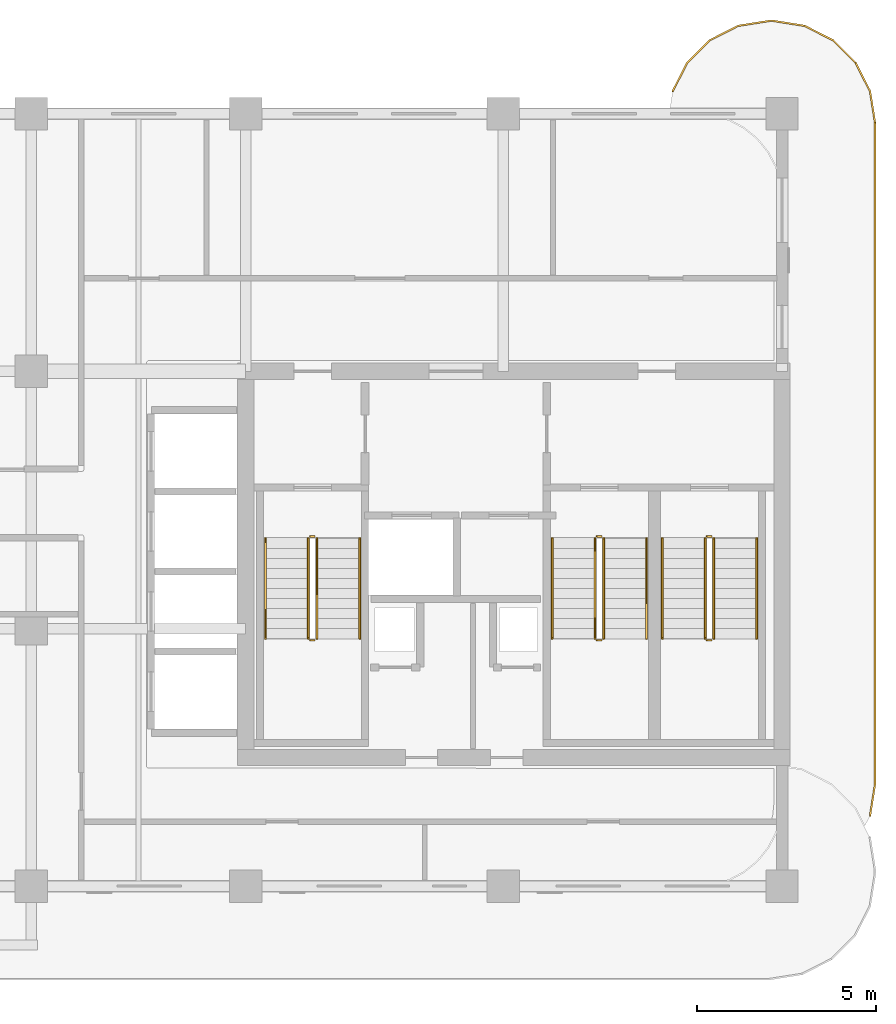
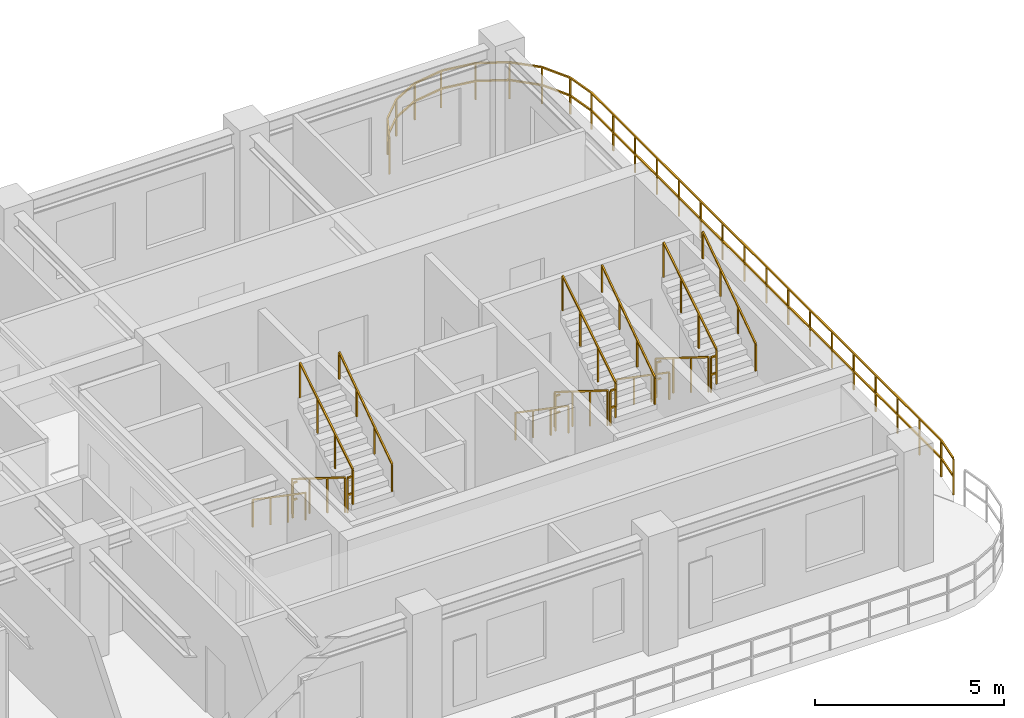
# One storey, part 8 of 8: 19 railings.
"""IFC4 building model written with IfcOpenShell, lengths in metres."""

from ifc_helpers import new_model, si_unit, derived_unit, direction, frame, origin, origin_2d, place, context, subcontext, project, spatial, rectangle, extrude, material, type_object, element, save


model = new_model("IFC4")

# Units and contexts
model_context = context("Model", 3, precision=1e-05, world=origin(), true_north=direction((0.0, 1.0)))
body_context = subcontext(model_context, "Body", "Model", "MODEL_VIEW")
ifc_project = project(units=[si_unit("LENGTHUNIT", "METRE"), si_unit("AREAUNIT", "SQUARE_METRE"), si_unit("VOLUMEUNIT", "CUBIC_METRE"), si_unit("PLANEANGLEUNIT", "RADIAN"), si_unit("MASSUNIT", "GRAM", prefix="KILO"), si_unit("THERMODYNAMICTEMPERATUREUNIT", "KELVIN"), si_unit("POWERUNIT", "WATT"), derived_unit("THERMALTRANSMITTANCEUNIT", [(si_unit("POWERUNIT", "WATT"), 1), (si_unit("AREAUNIT", "SQUARE_METRE"), -1), (si_unit("THERMODYNAMICTEMPERATUREUNIT", "KELVIN"), -1)])], contexts=[model_context])

# Site, building, storey
site_placement = place(None, origin())
site = spatial("IfcSite", under=ifc_project, at=site_placement, CompositionType="ELEMENT")
building_placement = place(site_placement, origin())
building = spatial("IfcBuilding", under=site, at=building_placement, Name="Zahravan Archway Hotel and Residences", CompositionType="ELEMENT")
storey_placement = place(building_placement, frame((0.0, 0.0, 225.0)))
storey = spatial("IfcBuildingStorey", under=building, at=storey_placement, Name="L56", CompositionType="ELEMENT", Elevation=225.0)

# Railings
ifc_material_1 = material(Name="Bronze & Laminated Glass Balustrade", Category="glass")
railing_type_1 = type_object("IfcRailingType", Name="RL-BAL-1200", PredefinedType="BALUSTRADE", material=ifc_material_1)
railing_1_placement = place(storey_placement, frame((46.739501953125, 22.230712890625, 0.0)))
element("IfcRailing", 1, at=railing_1_placement, inside=storey, type_object=railing_type_1, Name="L56 Balustrade RL-SLB-BAL-L56-EA-1", PredefinedType="BALUSTRADE", context=body_context, shape_type="SweptSolid", body=[
    extrude(rectangle(XDim=0.048095703125, YDim=0.048095703125, at=origin_2d()), frame((0.0, 0.0, 1.17578125), z_axis=(0.453991409995, 0.891006060389, 0.0), x_axis=(-0.891006060389, 0.453991409995, 0.0)), (0.0, 0.0, 1.0), 0.8916015625),
    extrude(rectangle(XDim=0.048095703125, YDim=0.048095703125, at=origin_2d()), frame((0.0, 0.0, 0.60009765625), z_axis=(0.453991409995, 0.891006060389, 0.0), x_axis=(-0.891006060389, 0.453991409995, 0.0)), (0.0, 0.0, 1.0), 0.8916015625),
    extrude(rectangle(XDim=0.048095703125, YDim=0.048095703125, at=origin_2d()), frame((0.40478515625, 0.79443359375, 1.17578125), z_axis=(0.707106781187, 0.707106781187, 0.0), x_axis=(-0.707106781187, 0.707106781187, 0.0)), (0.0, 0.0, 1.0), 0.891845703125),
    extrude(rectangle(XDim=0.048095703125, YDim=0.048095703125, at=origin_2d()), frame((0.40478515625, 0.79443359375, 0.60009765625), z_axis=(0.707106781187, 0.707106781187, 0.0), x_axis=(-0.707106781187, 0.707106781187, 0.0)), (0.0, 0.0, 1.0), 0.891845703125),
    extrude(rectangle(XDim=0.048095703125, YDim=0.048095703125, at=origin_2d()), frame((1.035400390625, 1.425048828125, 1.17578125), z_axis=(0.891006060389, 0.453991409995, 0.0), x_axis=(-0.453991409995, 0.891006060389, 0.0)), (0.0, 0.0, 1.0), 0.8916015625),
    extrude(rectangle(XDim=0.048095703125, YDim=0.048095703125, at=origin_2d()), frame((1.035400390625, 1.425048828125, 0.60009765625), z_axis=(0.891006060389, 0.453991409995, 0.0), x_axis=(-0.453991409995, 0.891006060389, 0.0)), (0.0, 0.0, 1.0), 0.8916015625),
    extrude(rectangle(XDim=0.048095703125, YDim=0.048095703125, at=origin_2d()), frame((1.829833984375, 1.829833984375, 1.17578125), z_axis=(0.987700720307, 0.156356282588, 0.0), x_axis=(-0.156356282588, 0.987700720307, 0.0)), (0.0, 0.0, 1.0), 0.8916015625),
    extrude(rectangle(XDim=0.048095703125, YDim=0.048095703125, at=origin_2d()), frame((1.829833984375, 1.829833984375, 0.60009765625), z_axis=(0.987700720307, 0.156356282588, 0.0), x_axis=(-0.156356282588, 0.987700720307, 0.0)), (0.0, 0.0, 1.0), 0.8916015625),
    extrude(rectangle(XDim=0.048095703125, YDim=0.048095703125, at=origin_2d()), frame((2.71044921875, 1.96923828125, 1.17578125), z_axis=(1.0, 0.0, 0.0), x_axis=(0.0, 1.0, 0.0)), (0.0, 0.0, 1.0), 0.10009765625),
    extrude(rectangle(XDim=0.048095703125, YDim=0.048095703125, at=origin_2d()), frame((2.71044921875, 1.96923828125, 0.60009765625), z_axis=(1.0, 0.0, 0.0), x_axis=(0.0, 1.0, 0.0)), (0.0, 0.0, 1.0), 0.10009765625),
    extrude(rectangle(XDim=0.048095703125, YDim=0.048095703125, at=origin_2d()), frame((2.810546875, 1.96923828125, 1.17578125), z_axis=(0.987700720307, -0.156356282588, 0.0), x_axis=(0.156356282588, 0.987700720307, 0.0)), (0.0, 0.0, 1.0), 0.8916015625),
    extrude(rectangle(XDim=0.048095703125, YDim=0.048095703125, at=origin_2d()), frame((2.810546875, 1.96923828125, 0.60009765625), z_axis=(0.987700720307, -0.156356282588, 0.0), x_axis=(0.156356282588, 0.987700720307, 0.0)), (0.0, 0.0, 1.0), 0.8916015625),
    extrude(rectangle(XDim=0.048095703125, YDim=0.048095703125, at=origin_2d()), frame((3.691162109375, 1.829833984375, 1.17578125), z_axis=(0.891006060389, -0.453991409995, 0.0), x_axis=(0.453991409995, 0.891006060389, 0.0)), (0.0, 0.0, 1.0), 0.8916015625),
    extrude(rectangle(XDim=0.048095703125, YDim=0.048095703125, at=origin_2d()), frame((3.691162109375, 1.829833984375, 0.60009765625), z_axis=(0.891006060389, -0.453991409995, 0.0), x_axis=(0.453991409995, 0.891006060389, 0.0)), (0.0, 0.0, 1.0), 0.8916015625),
    extrude(rectangle(XDim=0.048095703125, YDim=0.048095703125, at=origin_2d()), frame((4.485595703125, 1.425048828125, 1.17578125), z_axis=(0.707106781187, -0.707106781187, 0.0), x_axis=(0.707106781187, 0.707106781187, 0.0)), (0.0, 0.0, 1.0), 0.891845703125),
    extrude(rectangle(XDim=0.048095703125, YDim=0.048095703125, at=origin_2d()), frame((4.485595703125, 1.425048828125, 0.60009765625), z_axis=(0.707106781187, -0.707106781187, 0.0), x_axis=(0.707106781187, 0.707106781187, 0.0)), (0.0, 0.0, 1.0), 0.891845703125),
    extrude(rectangle(XDim=0.048095703125, YDim=0.048095703125, at=origin_2d()), frame((5.1162109375, 0.79443359375, 1.17578125), z_axis=(0.453991409995, -0.891006060389, 0.0), x_axis=(0.891006060389, 0.453991409995, 0.0)), (0.0, 0.0, 1.0), 0.8916015625),
    extrude(rectangle(XDim=0.048095703125, YDim=0.048095703125, at=origin_2d()), frame((5.1162109375, 0.79443359375, 0.60009765625), z_axis=(0.453991409995, -0.891006060389, 0.0), x_axis=(0.891006060389, 0.453991409995, 0.0)), (0.0, 0.0, 1.0), 0.8916015625),
    extrude(rectangle(XDim=0.048095703125, YDim=0.048095703125, at=origin_2d()), frame((5.52099609375, 0.0, 1.17578125), z_axis=(0.156356282588, -0.987700720307, 0.0), x_axis=(0.987700720307, 0.156356282588, 0.0)), (0.0, 0.0, 1.0), 0.8916015625),
    extrude(rectangle(XDim=0.048095703125, YDim=0.048095703125, at=origin_2d()), frame((5.52099609375, 0.0, 0.60009765625), z_axis=(0.156356282588, -0.987700720307, 0.0), x_axis=(0.987700720307, 0.156356282588, 0.0)), (0.0, 0.0, 1.0), 0.8916015625),
    extrude(rectangle(XDim=0.048095703125, YDim=0.048095703125, at=origin_2d()), frame((5.660400390625, -0.880615234375, 1.17578125), z_axis=(0.0, -1.0, 0.0), x_axis=(1.0, 0.0, 0.0)), (0.0, 0.0, 1.0), 18.5),
    extrude(rectangle(XDim=0.048095703125, YDim=0.048095703125, at=origin_2d()), frame((5.660400390625, -0.880615234375, 0.60009765625), z_axis=(0.0, -1.0, 0.0), x_axis=(1.0, 0.0, 0.0)), (0.0, 0.0, 1.0), 18.5),
    extrude(rectangle(XDim=0.048095703125, YDim=0.048095703125, at=origin_2d()), frame((5.660400390625, -19.380615234375, 1.17578125), z_axis=(-0.156314005608, -0.987707411965, 0.0), x_axis=(0.987707411965, -0.156314005608, 0.0)), (0.0, 0.0, 1.0), 0.891845703125),
    extrude(rectangle(XDim=0.048095703125, YDim=0.048095703125, at=origin_2d()), frame((5.660400390625, -19.380615234375, 0.60009765625), z_axis=(-0.156314005608, -0.987707411965, 0.0), x_axis=(0.987707411965, -0.156314005608, 0.0)), (0.0, 0.0, 1.0), 0.891845703125),
    extrude(rectangle(XDim=0.0419921875, YDim=0.0419921875, at=origin_2d()), origin(), (0.0, 0.0, 1.0), 1.15185546875),
    extrude(rectangle(XDim=0.0419921875, YDim=0.0419921875, at=origin_2d()), frame((0.40478515625, 0.79443359375, 0.0)), (0.0, 0.0, 1.0), 1.15185546875),
    extrude(rectangle(XDim=0.0419921875, YDim=0.0419921875, at=origin_2d()), frame((1.035400390625, 1.425048828125, 0.0)), (0.0, 0.0, 1.0), 1.15185546875),
    extrude(rectangle(XDim=0.0419921875, YDim=0.0419921875, at=origin_2d()), frame((1.829833984375, 1.829833984375, 0.0)), (0.0, 0.0, 1.0), 1.15185546875),
    extrude(rectangle(XDim=0.0419921875, YDim=0.0419921875, at=origin_2d()), frame((2.71044921875, 1.96923828125, 0.0)), (0.0, 0.0, 1.0), 1.15185546875),
    extrude(rectangle(XDim=0.0419921875, YDim=0.0419921875, at=origin_2d()), frame((3.691162109375, 1.829833984375, 0.0)), (0.0, 0.0, 1.0), 1.15185546875),
    extrude(rectangle(XDim=0.0419921875, YDim=0.0419921875, at=origin_2d()), frame((4.485595703125, 1.425048828125, 0.0)), (0.0, 0.0, 1.0), 1.15185546875),
    extrude(rectangle(XDim=0.0419921875, YDim=0.0419921875, at=origin_2d()), frame((5.1162109375, 0.79443359375, 0.0)), (0.0, 0.0, 1.0), 1.15185546875),
    extrude(rectangle(XDim=0.0419921875, YDim=0.0419921875, at=origin_2d()), frame((5.52099609375, 0.0, 0.0)), (0.0, 0.0, 1.0), 1.15185546875),
    extrude(rectangle(XDim=0.0419921875, YDim=0.0419921875, at=origin_2d()), frame((5.660400390625, -0.880615234375, 0.0)), (0.0, 0.0, 1.0), 1.15185546875),
    extrude(rectangle(XDim=0.0419921875, YDim=0.0419921875, at=origin_2d()), frame((5.660400390625, -2.036865234375, 0.0)), (0.0, 0.0, 1.0), 1.15185546875),
    extrude(rectangle(XDim=0.0419921875, YDim=0.0419921875, at=origin_2d()), frame((5.660400390625, -3.193115234375, 0.0)), (0.0, 0.0, 1.0), 1.15185546875),
    extrude(rectangle(XDim=0.0419921875, YDim=0.0419921875, at=origin_2d()), frame((5.660400390625, -4.349365234375, 0.0)), (0.0, 0.0, 1.0), 1.15185546875),
    extrude(rectangle(XDim=0.0419921875, YDim=0.0419921875, at=origin_2d()), frame((5.660400390625, -5.505615234375, 0.0)), (0.0, 0.0, 1.0), 1.15185546875),
    extrude(rectangle(XDim=0.0419921875, YDim=0.0419921875, at=origin_2d()), frame((5.660400390625, -6.661865234375, 0.0)), (0.0, 0.0, 1.0), 1.15185546875),
    extrude(rectangle(XDim=0.0419921875, YDim=0.0419921875, at=origin_2d()), frame((5.660400390625, -7.818115234375, 0.0)), (0.0, 0.0, 1.0), 1.15185546875),
    extrude(rectangle(XDim=0.0419921875, YDim=0.0419921875, at=origin_2d()), frame((5.660400390625, -8.974365234375, 0.0)), (0.0, 0.0, 1.0), 1.15185546875),
    extrude(rectangle(XDim=0.0419921875, YDim=0.0419921875, at=origin_2d()), frame((5.660400390625, -10.130615234375, 0.0)), (0.0, 0.0, 1.0), 1.15185546875),
    extrude(rectangle(XDim=0.0419921875, YDim=0.0419921875, at=origin_2d()), frame((5.660400390625, -11.286865234375, 0.0)), (0.0, 0.0, 1.0), 1.15185546875),
    extrude(rectangle(XDim=0.0419921875, YDim=0.0419921875, at=origin_2d()), frame((5.660400390625, -12.443115234375, 0.0)), (0.0, 0.0, 1.0), 1.15185546875),
    extrude(rectangle(XDim=0.0419921875, YDim=0.0419921875, at=origin_2d()), frame((5.660400390625, -13.599365234375, 0.0)), (0.0, 0.0, 1.0), 1.15185546875),
    extrude(rectangle(XDim=0.0419921875, YDim=0.0419921875, at=origin_2d()), frame((5.660400390625, -14.755615234375, 0.0)), (0.0, 0.0, 1.0), 1.15185546875),
    extrude(rectangle(XDim=0.0419921875, YDim=0.0419921875, at=origin_2d()), frame((5.660400390625, -15.911865234375, 0.0)), (0.0, 0.0, 1.0), 1.15185546875),
    extrude(rectangle(XDim=0.0419921875, YDim=0.0419921875, at=origin_2d()), frame((5.660400390625, -17.068115234375, 0.0)), (0.0, 0.0, 1.0), 1.15185546875),
    extrude(rectangle(XDim=0.0419921875, YDim=0.0419921875, at=origin_2d()), frame((5.660400390625, -18.224365234375, 0.0)), (0.0, 0.0, 1.0), 1.15185546875),
    extrude(rectangle(XDim=0.0419921875, YDim=0.0419921875, at=origin_2d()), frame((5.660400390625, -19.380615234375, 0.0)), (0.0, 0.0, 1.0), 1.15185546875),
    extrude(rectangle(XDim=0.0419921875, YDim=0.0419921875, at=origin_2d()), frame((5.52099609375, -20.261474609375, 0.0)), (0.0, 0.0, 1.0), 1.15185546875),
])
ifc_material_2 = material(Name="Painted Tubular Steel", Category="steel")
railing_type_2 = type_object("IfcRailingType", Name="RL-STG-1150", PredefinedType="GUARDRAIL", material=ifc_material_2)
railing_2_placement = place(storey_placement, frame((36.550048828125, 9.72998046875, 0.175048828125)))
element("IfcRailing", 2, at=railing_2_placement, inside=storey, type_object=railing_type_2, Name="L56 ST-A1 stair guard 1", PredefinedType="GUARDRAIL", context=body_context, shape_type="SweptSolid", body=[
    extrude(rectangle(XDim=0.048095703125, YDim=0.048095703125, at=origin_2d()), frame((0.0, 0.0, 1.1259765625), z_axis=(0.0, -0.848002457836, 0.529992293815), x_axis=(1.0, 0.0, 0.0)), (0.0, 0.0, 1.0), 3.302001953125),
    extrude(rectangle(XDim=0.0419921875, YDim=0.0419921875, at=origin_2d()), origin(), (0.0, 0.0, 1.0), 1.101806640625),
    extrude(rectangle(XDim=0.0419921875, YDim=0.0419921875, at=origin_2d()), frame((0.0, -0.933349609375, 0.583251953125)), (0.0, 0.0, 1.0), 1.101806640625),
    extrude(rectangle(XDim=0.0419921875, YDim=0.0419921875, at=origin_2d()), frame((0.0, -1.86669921875, 1.166748046875)), (0.0, 0.0, 1.0), 1.101806640625),
    extrude(rectangle(XDim=0.0419921875, YDim=0.0419921875, at=origin_2d()), frame((0.0, -2.800048828125, 1.75)), (0.0, 0.0, 1.0), 1.101806640625),
])
railing_3_placement = place(storey_placement, frame((36.60009765625, 6.8798828125, 1.925048828125)))
element("IfcRailing", 3, at=railing_3_placement, inside=storey, type_object=railing_type_2, Name="L56 ST-A1 stair guard 2", PredefinedType="GUARDRAIL", context=body_context, shape_type="SweptSolid", body=[
    extrude(rectangle(XDim=0.048095703125, YDim=0.048095703125, at=origin_2d()), frame((0.0, 0.0, 1.1259765625), z_axis=(1.0, 0.0, 0.0), x_axis=(0.0, 1.0, 0.0)), (0.0, 0.0, 1.0), 0.139892578125),
    extrude(rectangle(XDim=0.048095703125, YDim=0.048095703125, at=origin_2d()), frame((0.0, 0.0, 0.574951171875), z_axis=(1.0, 0.0, 0.0), x_axis=(0.0, 1.0, 0.0)), (0.0, 0.0, 1.0), 0.139892578125),
    extrude(rectangle(XDim=0.0419921875, YDim=0.0419921875, at=origin_2d()), origin(), (0.0, 0.0, 1.0), 1.101806640625),
])
railing_4_placement = place(storey_placement, frame((36.7900390625, 6.929931640625, 2.10009765625)))
element("IfcRailing", 4, at=railing_4_placement, inside=storey, type_object=railing_type_2, Name="L56 ST-A1 stair guard 3", PredefinedType="GUARDRAIL", context=body_context, shape_type="SweptSolid", body=[
    extrude(rectangle(XDim=0.048095703125, YDim=0.048095703125, at=origin_2d()), frame((0.0, 0.0, 1.1259765625), z_axis=(0.0, 0.848002457836, 0.529992293815), x_axis=(-1.0, 0.0, 0.0)), (0.0, 0.0, 1.0), 3.302001953125),
    extrude(rectangle(XDim=0.0419921875, YDim=0.0419921875, at=origin_2d()), origin(), (0.0, 0.0, 1.0), 1.101806640625),
    extrude(rectangle(XDim=0.0419921875, YDim=0.0419921875, at=origin_2d()), frame((0.0, 0.933349609375, 0.583251953125)), (0.0, 0.0, 1.0), 1.101806640625),
    extrude(rectangle(XDim=0.0419921875, YDim=0.0419921875, at=origin_2d()), frame((0.0, 1.86669921875, 1.166748046875)), (0.0, 0.0, 1.0), 1.101806640625),
    extrude(rectangle(XDim=0.0419921875, YDim=0.0419921875, at=origin_2d()), frame((0.0, 2.800048828125, 1.75)), (0.0, 0.0, 1.0), 1.101806640625),
])
railing_5_placement = place(storey_placement, frame((36.60009765625, 9.780029296875, 0.0)))
element("IfcRailing", 5, at=railing_5_placement, inside=storey, type_object=railing_type_2, Name="L56 ST-A1 stair guard 4", PredefinedType="GUARDRAIL", context=body_context, shape_type="SweptSolid", body=[
    extrude(rectangle(XDim=0.048095703125, YDim=0.048095703125, at=origin_2d()), frame((0.0, 0.0, 1.1259765625), z_axis=(1.0, 0.0, 0.0), x_axis=(0.0, 1.0, 0.0)), (0.0, 0.0, 1.0), 0.139892578125),
    extrude(rectangle(XDim=0.048095703125, YDim=0.048095703125, at=origin_2d()), frame((0.0, 0.0, 0.574951171875), z_axis=(1.0, 0.0, 0.0), x_axis=(0.0, 1.0, 0.0)), (0.0, 0.0, 1.0), 0.139892578125),
    extrude(rectangle(XDim=0.0419921875, YDim=0.0419921875, at=origin_2d()), origin(), (0.0, 0.0, 1.0), 1.101806640625),
])
railing_6_placement = place(storey_placement, frame((44.570068359375, 9.72998046875, 0.175048828125)))
element("IfcRailing", 6, at=railing_6_placement, inside=storey, type_object=railing_type_2, Name="L56 ST-A2 stair guard 1", PredefinedType="GUARDRAIL", context=body_context, shape_type="SweptSolid", body=[
    extrude(rectangle(XDim=0.048095703125, YDim=0.048095703125, at=origin_2d()), frame((0.0, 0.0, 1.1259765625), z_axis=(0.0, -0.848002457836, 0.529992293815), x_axis=(1.0, 0.0, 0.0)), (0.0, 0.0, 1.0), 3.302001953125),
    extrude(rectangle(XDim=0.0419921875, YDim=0.0419921875, at=origin_2d()), origin(), (0.0, 0.0, 1.0), 1.101806640625),
    extrude(rectangle(XDim=0.0419921875, YDim=0.0419921875, at=origin_2d()), frame((0.0, -0.933349609375, 0.583251953125)), (0.0, 0.0, 1.0), 1.101806640625),
    extrude(rectangle(XDim=0.0419921875, YDim=0.0419921875, at=origin_2d()), frame((0.0, -1.86669921875, 1.166748046875)), (0.0, 0.0, 1.0), 1.101806640625),
    extrude(rectangle(XDim=0.0419921875, YDim=0.0419921875, at=origin_2d()), frame((0.0, -2.800048828125, 1.75)), (0.0, 0.0, 1.0), 1.101806640625),
])
railing_7_placement = place(storey_placement, frame((44.6201171875, 6.8798828125, 1.925048828125)))
element("IfcRailing", 7, at=railing_7_placement, inside=storey, type_object=railing_type_2, Name="L56 ST-A2 stair guard 2", PredefinedType="GUARDRAIL", context=body_context, shape_type="SweptSolid", body=[
    extrude(rectangle(XDim=0.048095703125, YDim=0.048095703125, at=origin_2d()), frame((0.0, 0.0, 1.1259765625), z_axis=(1.0, 0.0, 0.0), x_axis=(0.0, 1.0, 0.0)), (0.0, 0.0, 1.0), 0.139892578125),
    extrude(rectangle(XDim=0.048095703125, YDim=0.048095703125, at=origin_2d()), frame((0.0, 0.0, 0.574951171875), z_axis=(1.0, 0.0, 0.0), x_axis=(0.0, 1.0, 0.0)), (0.0, 0.0, 1.0), 0.139892578125),
    extrude(rectangle(XDim=0.0419921875, YDim=0.0419921875, at=origin_2d()), origin(), (0.0, 0.0, 1.0), 1.101806640625),
])
railing_8_placement = place(storey_placement, frame((44.81005859375, 6.929931640625, 2.10009765625)))
element("IfcRailing", 8, at=railing_8_placement, inside=storey, type_object=railing_type_2, Name="L56 ST-A2 stair guard 3", PredefinedType="GUARDRAIL", context=body_context, shape_type="SweptSolid", body=[
    extrude(rectangle(XDim=0.048095703125, YDim=0.048095703125, at=origin_2d()), frame((0.0, 0.0, 1.1259765625), z_axis=(0.0, 0.848002457836, 0.529992293815), x_axis=(-1.0, 0.0, 0.0)), (0.0, 0.0, 1.0), 3.302001953125),
    extrude(rectangle(XDim=0.0419921875, YDim=0.0419921875, at=origin_2d()), origin(), (0.0, 0.0, 1.0), 1.101806640625),
    extrude(rectangle(XDim=0.0419921875, YDim=0.0419921875, at=origin_2d()), frame((0.0, 0.933349609375, 0.583251953125)), (0.0, 0.0, 1.0), 1.101806640625),
    extrude(rectangle(XDim=0.0419921875, YDim=0.0419921875, at=origin_2d()), frame((0.0, 1.86669921875, 1.166748046875)), (0.0, 0.0, 1.0), 1.101806640625),
    extrude(rectangle(XDim=0.0419921875, YDim=0.0419921875, at=origin_2d()), frame((0.0, 2.800048828125, 1.75)), (0.0, 0.0, 1.0), 1.101806640625),
])
railing_9_placement = place(storey_placement, frame((44.6201171875, 9.780029296875, 0.0)))
element("IfcRailing", 9, at=railing_9_placement, inside=storey, type_object=railing_type_2, Name="L56 ST-A2 stair guard 4", PredefinedType="GUARDRAIL", context=body_context, shape_type="SweptSolid", body=[
    extrude(rectangle(XDim=0.048095703125, YDim=0.048095703125, at=origin_2d()), frame((0.0, 0.0, 1.1259765625), z_axis=(1.0, 0.0, 0.0), x_axis=(0.0, 1.0, 0.0)), (0.0, 0.0, 1.0), 0.139892578125),
    extrude(rectangle(XDim=0.048095703125, YDim=0.048095703125, at=origin_2d()), frame((0.0, 0.0, 0.574951171875), z_axis=(1.0, 0.0, 0.0), x_axis=(0.0, 1.0, 0.0)), (0.0, 0.0, 1.0), 0.139892578125),
    extrude(rectangle(XDim=0.0419921875, YDim=0.0419921875, at=origin_2d()), origin(), (0.0, 0.0, 1.0), 1.101806640625),
])
railing_10_placement = place(storey_placement, frame((47.64990234375, 9.72998046875, 0.175048828125)))
element("IfcRailing", 10, at=railing_10_placement, inside=storey, type_object=railing_type_2, Name="L56 ST-A3 stair guard 1", PredefinedType="GUARDRAIL", context=body_context, shape_type="SweptSolid", body=[
    extrude(rectangle(XDim=0.048095703125, YDim=0.048095703125, at=origin_2d()), frame((0.0, 0.0, 1.1259765625), z_axis=(0.0, -0.848002457836, 0.529992293815), x_axis=(1.0, 0.0, 0.0)), (0.0, 0.0, 1.0), 3.302001953125),
    extrude(rectangle(XDim=0.0419921875, YDim=0.0419921875, at=origin_2d()), origin(), (0.0, 0.0, 1.0), 1.101806640625),
    extrude(rectangle(XDim=0.0419921875, YDim=0.0419921875, at=origin_2d()), frame((0.0, -0.933349609375, 0.583251953125)), (0.0, 0.0, 1.0), 1.101806640625),
    extrude(rectangle(XDim=0.0419921875, YDim=0.0419921875, at=origin_2d()), frame((0.0, -1.86669921875, 1.166748046875)), (0.0, 0.0, 1.0), 1.101806640625),
    extrude(rectangle(XDim=0.0419921875, YDim=0.0419921875, at=origin_2d()), frame((0.0, -2.800048828125, 1.75)), (0.0, 0.0, 1.0), 1.101806640625),
])
railing_11_placement = place(storey_placement, frame((47.699951171875, 6.8798828125, 1.925048828125)))
element("IfcRailing", 11, at=railing_11_placement, inside=storey, type_object=railing_type_2, Name="L56 ST-A3 stair guard 2", PredefinedType="GUARDRAIL", context=body_context, shape_type="SweptSolid", body=[
    extrude(rectangle(XDim=0.048095703125, YDim=0.048095703125, at=origin_2d()), frame((0.0, 0.0, 1.1259765625), z_axis=(1.0, 0.0, 0.0), x_axis=(0.0, 1.0, 0.0)), (0.0, 0.0, 1.0), 0.14013671875),
    extrude(rectangle(XDim=0.048095703125, YDim=0.048095703125, at=origin_2d()), frame((0.0, 0.0, 0.574951171875), z_axis=(1.0, 0.0, 0.0), x_axis=(0.0, 1.0, 0.0)), (0.0, 0.0, 1.0), 0.14013671875),
    extrude(rectangle(XDim=0.0419921875, YDim=0.0419921875, at=origin_2d()), origin(), (0.0, 0.0, 1.0), 1.101806640625),
])
railing_12_placement = place(storey_placement, frame((47.889892578125, 6.929931640625, 2.10009765625)))
element("IfcRailing", 12, at=railing_12_placement, inside=storey, type_object=railing_type_2, Name="L56 ST-A3 stair guard 3", PredefinedType="GUARDRAIL", context=body_context, shape_type="SweptSolid", body=[
    extrude(rectangle(XDim=0.048095703125, YDim=0.048095703125, at=origin_2d()), frame((0.0, 0.0, 1.1259765625), z_axis=(0.0, 0.848002457836, 0.529992293815), x_axis=(-1.0, 0.0, 0.0)), (0.0, 0.0, 1.0), 3.302001953125),
    extrude(rectangle(XDim=0.0419921875, YDim=0.0419921875, at=origin_2d()), origin(), (0.0, 0.0, 1.0), 1.101806640625),
    extrude(rectangle(XDim=0.0419921875, YDim=0.0419921875, at=origin_2d()), frame((0.0, 0.933349609375, 0.583251953125)), (0.0, 0.0, 1.0), 1.101806640625),
    extrude(rectangle(XDim=0.0419921875, YDim=0.0419921875, at=origin_2d()), frame((0.0, 1.86669921875, 1.166748046875)), (0.0, 0.0, 1.0), 1.101806640625),
    extrude(rectangle(XDim=0.0419921875, YDim=0.0419921875, at=origin_2d()), frame((0.0, 2.800048828125, 1.75)), (0.0, 0.0, 1.0), 1.101806640625),
])
railing_13_placement = place(storey_placement, frame((47.699951171875, 9.780029296875, 0.0)))
element("IfcRailing", 13, at=railing_13_placement, inside=storey, type_object=railing_type_2, Name="L56 ST-A3 stair guard 4", PredefinedType="GUARDRAIL", context=body_context, shape_type="SweptSolid", body=[
    extrude(rectangle(XDim=0.048095703125, YDim=0.048095703125, at=origin_2d()), frame((0.0, 0.0, 1.1259765625), z_axis=(1.0, 0.0, 0.0), x_axis=(0.0, 1.0, 0.0)), (0.0, 0.0, 1.0), 0.14013671875),
    extrude(rectangle(XDim=0.048095703125, YDim=0.048095703125, at=origin_2d()), frame((0.0, 0.0, 0.574951171875), z_axis=(1.0, 0.0, 0.0), x_axis=(0.0, 1.0, 0.0)), (0.0, 0.0, 1.0), 0.14013671875),
    extrude(rectangle(XDim=0.0419921875, YDim=0.0419921875, at=origin_2d()), origin(), (0.0, 0.0, 1.0), 1.101806640625),
])
ifc_material_3 = material(Name="Brushed Stainless Steel", Category="steel")
railing_type_3 = type_object("IfcRailingType", Name="RL-STH-900", PredefinedType="HANDRAIL", material=ifc_material_3)
railing_14_placement = place(storey_placement, frame((35.35009765625, 9.72998046875, 0.175048828125)))
element("IfcRailing", 14, at=railing_14_placement, inside=storey, type_object=railing_type_3, Name="L56 ST-A1 stair handrail 1", PredefinedType="HANDRAIL", context=body_context, shape_type="SweptSolid", body=[
    extrude(rectangle(XDim=0.048095703125, YDim=0.048095703125, at=origin_2d()), frame((0.0, 0.0, 0.8759765625), z_axis=(0.0, -0.824039827795, 0.566531872191), x_axis=(1.0, 0.0, 0.0)), (0.0, 0.0, 1.0), 3.39794921875),
    extrude(rectangle(XDim=0.0419921875, YDim=0.0419921875, at=origin_2d()), origin(), (0.0, 0.0, 1.0), 0.851806640625),
    extrude(rectangle(XDim=0.0419921875, YDim=0.0419921875, at=origin_2d()), frame((0.0, -0.933349609375, 0.6416015625)), (0.0, 0.0, 1.0), 0.851806640625),
    extrude(rectangle(XDim=0.0419921875, YDim=0.0419921875, at=origin_2d()), frame((0.0, -1.86669921875, 1.283447265625)), (0.0, 0.0, 1.0), 0.851806640625),
    extrude(rectangle(XDim=0.0419921875, YDim=0.0419921875, at=origin_2d()), frame((0.0, -2.800048828125, 1.925048828125)), (0.0, 0.0, 1.0), 0.851806640625),
])
railing_15_placement = place(storey_placement, frame((37.989990234375, 6.929931640625, 2.10009765625)))
element("IfcRailing", 15, at=railing_15_placement, inside=storey, type_object=railing_type_3, Name="L56 ST-A1 stair handrail 2", PredefinedType="HANDRAIL", context=body_context, shape_type="SweptSolid", body=[
    extrude(rectangle(XDim=0.048095703125, YDim=0.048095703125, at=origin_2d()), frame((0.0, 0.0, 0.8759765625), z_axis=(0.0, 0.824073370198, 0.566483080534), x_axis=(-1.0, 0.0, 0.0)), (0.0, 0.0, 1.0), 3.397705078125),
    extrude(rectangle(XDim=0.0419921875, YDim=0.0419921875, at=origin_2d()), origin(), (0.0, 0.0, 1.0), 0.851806640625),
    extrude(rectangle(XDim=0.0419921875, YDim=0.0419921875, at=origin_2d()), frame((0.0, 0.933349609375, 0.6416015625)), (0.0, 0.0, 1.0), 0.851806640625),
    extrude(rectangle(XDim=0.0419921875, YDim=0.0419921875, at=origin_2d()), frame((0.0, 1.86669921875, 1.283203125)), (0.0, 0.0, 1.0), 0.851806640625),
    extrude(rectangle(XDim=0.0419921875, YDim=0.0419921875, at=origin_2d()), frame((0.0, 2.800048828125, 1.9248046875)), (0.0, 0.0, 1.0), 0.851806640625),
])
railing_16_placement = place(storey_placement, frame((43.3701171875, 9.72998046875, 0.175048828125)))
element("IfcRailing", 16, at=railing_16_placement, inside=storey, type_object=railing_type_3, Name="L56 ST-A2 stair handrail 1", PredefinedType="HANDRAIL", context=body_context, shape_type="SweptSolid", body=[
    extrude(rectangle(XDim=0.048095703125, YDim=0.048095703125, at=origin_2d()), frame((0.0, 0.0, 0.8759765625), z_axis=(0.0, -0.824039827795, 0.566531872191), x_axis=(1.0, 0.0, 0.0)), (0.0, 0.0, 1.0), 3.39794921875),
    extrude(rectangle(XDim=0.0419921875, YDim=0.0419921875, at=origin_2d()), origin(), (0.0, 0.0, 1.0), 0.851806640625),
    extrude(rectangle(XDim=0.0419921875, YDim=0.0419921875, at=origin_2d()), frame((0.0, -0.933349609375, 0.6416015625)), (0.0, 0.0, 1.0), 0.851806640625),
    extrude(rectangle(XDim=0.0419921875, YDim=0.0419921875, at=origin_2d()), frame((0.0, -1.86669921875, 1.283447265625)), (0.0, 0.0, 1.0), 0.851806640625),
    extrude(rectangle(XDim=0.0419921875, YDim=0.0419921875, at=origin_2d()), frame((0.0, -2.800048828125, 1.925048828125)), (0.0, 0.0, 1.0), 0.851806640625),
])
railing_17_placement = place(storey_placement, frame((46.010009765625, 6.929931640625, 2.10009765625)))
element("IfcRailing", 17, at=railing_17_placement, inside=storey, type_object=railing_type_3, Name="L56 ST-A2 stair handrail 2", PredefinedType="HANDRAIL", context=body_context, shape_type="SweptSolid", body=[
    extrude(rectangle(XDim=0.048095703125, YDim=0.048095703125, at=origin_2d()), frame((0.0, 0.0, 0.8759765625), z_axis=(0.0, 0.824073370198, 0.566483080534), x_axis=(-1.0, 0.0, 0.0)), (0.0, 0.0, 1.0), 3.397705078125),
    extrude(rectangle(XDim=0.0419921875, YDim=0.0419921875, at=origin_2d()), origin(), (0.0, 0.0, 1.0), 0.851806640625),
    extrude(rectangle(XDim=0.0419921875, YDim=0.0419921875, at=origin_2d()), frame((0.0, 0.933349609375, 0.6416015625)), (0.0, 0.0, 1.0), 0.851806640625),
    extrude(rectangle(XDim=0.0419921875, YDim=0.0419921875, at=origin_2d()), frame((0.0, 1.86669921875, 1.283203125)), (0.0, 0.0, 1.0), 0.851806640625),
    extrude(rectangle(XDim=0.0419921875, YDim=0.0419921875, at=origin_2d()), frame((0.0, 2.800048828125, 1.9248046875)), (0.0, 0.0, 1.0), 0.851806640625),
])
railing_18_placement = place(storey_placement, frame((46.449951171875, 9.72998046875, 0.175048828125)))
element("IfcRailing", 18, at=railing_18_placement, inside=storey, type_object=railing_type_3, Name="L56 ST-A3 stair handrail 1", PredefinedType="HANDRAIL", context=body_context, shape_type="SweptSolid", body=[
    extrude(rectangle(XDim=0.048095703125, YDim=0.048095703125, at=origin_2d()), frame((0.0, 0.0, 0.8759765625), z_axis=(0.0, -0.824039827795, 0.566531872191), x_axis=(1.0, 0.0, 0.0)), (0.0, 0.0, 1.0), 3.39794921875),
    extrude(rectangle(XDim=0.0419921875, YDim=0.0419921875, at=origin_2d()), origin(), (0.0, 0.0, 1.0), 0.851806640625),
    extrude(rectangle(XDim=0.0419921875, YDim=0.0419921875, at=origin_2d()), frame((0.0, -0.933349609375, 0.6416015625)), (0.0, 0.0, 1.0), 0.851806640625),
    extrude(rectangle(XDim=0.0419921875, YDim=0.0419921875, at=origin_2d()), frame((0.0, -1.86669921875, 1.283447265625)), (0.0, 0.0, 1.0), 0.851806640625),
    extrude(rectangle(XDim=0.0419921875, YDim=0.0419921875, at=origin_2d()), frame((0.0, -2.800048828125, 1.925048828125)), (0.0, 0.0, 1.0), 0.851806640625),
])
railing_19_placement = place(storey_placement, frame((49.090087890625, 6.929931640625, 2.10009765625)))
element("IfcRailing", 19, at=railing_19_placement, inside=storey, type_object=railing_type_3, Name="L56 ST-A3 stair handrail 2", PredefinedType="HANDRAIL", context=body_context, shape_type="SweptSolid", body=[
    extrude(rectangle(XDim=0.048095703125, YDim=0.048095703125, at=origin_2d()), frame((0.0, 0.0, 0.8759765625), z_axis=(0.0, 0.824073370198, 0.566483080534), x_axis=(-1.0, 0.0, 0.0)), (0.0, 0.0, 1.0), 3.397705078125),
    extrude(rectangle(XDim=0.0419921875, YDim=0.0419921875, at=origin_2d()), origin(), (0.0, 0.0, 1.0), 0.851806640625),
    extrude(rectangle(XDim=0.0419921875, YDim=0.0419921875, at=origin_2d()), frame((0.0, 0.933349609375, 0.6416015625)), (0.0, 0.0, 1.0), 0.851806640625),
    extrude(rectangle(XDim=0.0419921875, YDim=0.0419921875, at=origin_2d()), frame((0.0, 1.86669921875, 1.283203125)), (0.0, 0.0, 1.0), 0.851806640625),
    extrude(rectangle(XDim=0.0419921875, YDim=0.0419921875, at=origin_2d()), frame((0.0, 2.800048828125, 1.9248046875)), (0.0, 0.0, 1.0), 0.851806640625),
])

save(model, "model.ifc")
